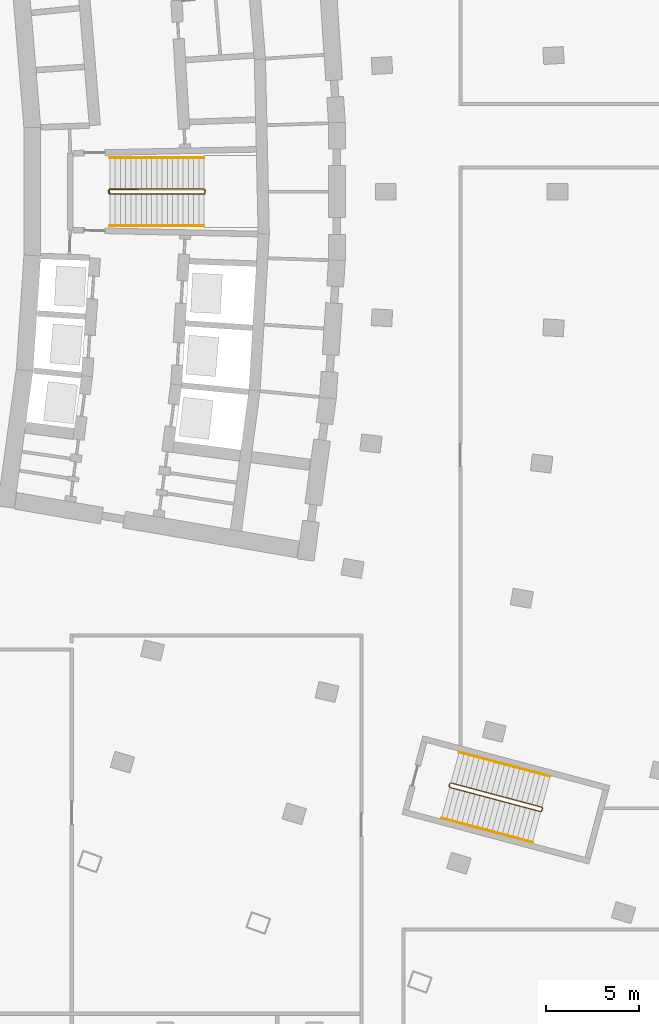
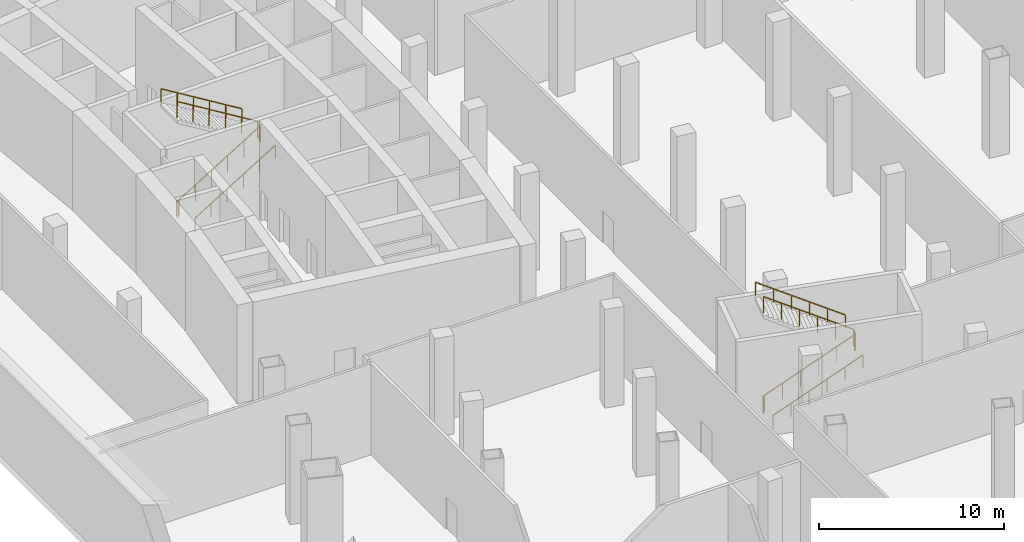
# One storey, part 12 of 16: 6 railings.
"""IFC4 building model written with IfcOpenShell, lengths in metres."""

from ifc_helpers import new_model, si_unit, direction, frame, origin, origin_with_axes, origin_2d, place, context, subcontext, project, spatial, rectangle, extrude, material, type_object, element, save


model = new_model("IFC4")

# Units and contexts
model_context = context("Model", 3, precision=1e-05, world=origin(), true_north=direction((0.0, 1.0)))
body_context = subcontext(model_context, "Body", "Model", "MODEL_VIEW")
ifc_project = project(units=[si_unit("LENGTHUNIT", "METRE"), si_unit("AREAUNIT", "SQUARE_METRE"), si_unit("VOLUMEUNIT", "CUBIC_METRE"), si_unit("PLANEANGLEUNIT", "RADIAN"), si_unit("MASSUNIT", "GRAM", prefix="KILO")], contexts=[model_context])

# Site, building, storey
site_placement = place(None, origin())
site = spatial("IfcSite", under=ifc_project, at=site_placement, CompositionType="ELEMENT")
building_placement = place(site_placement, origin())
building = spatial("IfcBuilding", under=site, at=building_placement, Name="Alderwake Tower", CompositionType="ELEMENT")
storey_placement = place(building_placement, frame((0.0, 0.0, -6.5)))
storey = spatial("IfcBuildingStorey", under=building, at=storey_placement, Name="B1", CompositionType="ELEMENT", Elevation=-6.5)

# Railings
ifc_material_1 = material(Name="Stainless steel guard", Category="steel")
railing_type_1 = type_object("IfcRailingType", Name="Stair guard 1100", PredefinedType="GUARDRAIL", material=ifc_material_1)
railing_1_placement = place(storey_placement, frame((20.989990234375, 60.925048828125, 0.0)))
element("IfcRailing", 1, at=railing_1_placement, inside=storey, type_object=railing_type_1, Name="B1 ST-B stair guard 1", PredefinedType="GUARDRAIL", context=body_context, shape_type="SweptSolid", body=[
    extrude(rectangle(XDim=0.048095703125, YDim=0.048095703125, at=origin_2d()), frame((0.0, 0.0, 1.076171875), z_axis=(0.0, 1.0, 0.0), x_axis=(-1.0, 0.0, 0.0)), (0.0, 0.0, 1.0), 0.14990234375),
    extrude(rectangle(XDim=0.048095703125, YDim=0.048095703125, at=origin_2d()), frame((0.0, 0.14990234375, 1.076171875), z_axis=(0.18681291358, -0.746340371814, 0.638809036192), x_axis=(0.970072785993, 0.242814311512, 0.0)), (0.0, 0.0, 1.0), 0.267822265625),
    extrude(rectangle(XDim=0.048095703125, YDim=0.048095703125, at=origin_2d()), frame((0.050048828125, -0.050048828125, 1.2470703125), z_axis=(0.853369698388, 0.0, 0.521306203564), x_axis=(0.0, 1.0, 0.0)), (0.0, 0.0, 1.0), 5.906005859375),
    extrude(rectangle(XDim=0.048095703125, YDim=0.048095703125, at=origin_2d()), frame((5.090087890625, -0.050048828125, 4.326171875), z_axis=(0.705375805398, 0.708833529934, 0.0), x_axis=(-0.708833529934, 0.705375805398, 0.0)), (0.0, 0.0, 1.0), 0.070556640625),
    extrude(rectangle(XDim=0.048095703125, YDim=0.048095703125, at=origin_2d()), frame((5.139892578125, 0.0, 4.326171875), z_axis=(0.0, 1.0, 0.0), x_axis=(-1.0, 0.0, 0.0)), (0.0, 0.0, 1.0), 0.14990234375),
    extrude(rectangle(XDim=0.048095703125, YDim=0.048095703125, at=origin_2d()), frame((5.139892578125, 0.14990234375, 4.326171875), z_axis=(-0.269017408341, 0.270336121127, 0.924417662977), x_axis=(-0.708833529934, -0.705375805398, 0.0)), (0.0, 0.0, 1.0), 0.18505859375),
    extrude(rectangle(XDim=0.048095703125, YDim=0.048095703125, at=origin_2d()), frame((5.090087890625, 0.199951171875, 4.4970703125), z_axis=(-0.853369698388, 0.0, 0.521306203564), x_axis=(0.0, -1.0, 0.0)), (0.0, 0.0, 1.0), 5.906005859375),
    extrude(rectangle(XDim=0.0419921875, YDim=0.0419921875, at=origin_2d()), frame((0.0, 0.0, 0.0), z_axis=(0.0, 0.0, 1.0), x_axis=(0.0, 1.0, 0.0)), (0.0, 0.0, 1.0), 1.052001953125),
    extrude(rectangle(XDim=0.0419921875, YDim=0.0419921875, at=origin_2d()), frame((0.0, 0.14990234375, 0.0), z_axis=(0.0, 0.0, 1.0), x_axis=(0.242814311512, -0.970072785993, 0.0)), (0.0, 0.0, 1.0), 1.052001953125),
    extrude(rectangle(XDim=0.0419921875, YDim=0.0419921875, at=origin_2d()), frame((0.050048828125, -0.050048828125, 0.171142578125), z_axis=(0.0, 0.0, 1.0), x_axis=(1.0, 0.0, 0.0)), (0.0, 0.0, 1.0), 1.052001953125),
    extrude(rectangle(XDim=0.0419921875, YDim=0.0419921875, at=origin_2d()), frame((1.05810546875, -0.050048828125, 0.786865234375), z_axis=(0.0, 0.0, 1.0), x_axis=(1.0, 0.0, 0.0)), (0.0, 0.0, 1.0), 1.052001953125),
    extrude(rectangle(XDim=0.0419921875, YDim=0.0419921875, at=origin_2d()), frame((2.066162109375, -0.050048828125, 1.402587890625), z_axis=(0.0, 0.0, 1.0), x_axis=(1.0, 0.0, 0.0)), (0.0, 0.0, 1.0), 1.052001953125),
    extrude(rectangle(XDim=0.0419921875, YDim=0.0419921875, at=origin_2d()), frame((3.073974609375, -0.050048828125, 2.0185546875), z_axis=(0.0, 0.0, 1.0), x_axis=(1.0, 0.0, 0.0)), (0.0, 0.0, 1.0), 1.052001953125),
    extrude(rectangle(XDim=0.0419921875, YDim=0.0419921875, at=origin_2d()), frame((4.08203125, -0.050048828125, 2.63427734375), z_axis=(0.0, 0.0, 1.0), x_axis=(1.0, 0.0, 0.0)), (0.0, 0.0, 1.0), 1.052001953125),
    extrude(rectangle(XDim=0.0419921875, YDim=0.0419921875, at=origin_2d()), frame((5.090087890625, -0.050048828125, 3.25), z_axis=(0.0, 0.0, 1.0), x_axis=(0.705375805398, 0.708833529934, 0.0)), (0.0, 0.0, 1.0), 1.052001953125),
    extrude(rectangle(XDim=0.0419921875, YDim=0.0419921875, at=origin_2d()), frame((5.139892578125, 0.0, 3.25), z_axis=(0.0, 0.0, 1.0), x_axis=(0.0, 1.0, 0.0)), (0.0, 0.0, 1.0), 1.052001953125),
    extrude(rectangle(XDim=0.0419921875, YDim=0.0419921875, at=origin_2d()), frame((5.139892578125, 0.14990234375, 3.25), z_axis=(0.0, 0.0, 1.0), x_axis=(-0.705375805398, 0.708833529934, 0.0)), (0.0, 0.0, 1.0), 1.052001953125),
    extrude(rectangle(XDim=0.0419921875, YDim=0.0419921875, at=origin_2d()), frame((5.090087890625, 0.199951171875, 3.421142578125), z_axis=(0.0, 0.0, 1.0), x_axis=(-1.0, 0.0, 0.0)), (0.0, 0.0, 1.0), 1.052001953125),
    extrude(rectangle(XDim=0.0419921875, YDim=0.0419921875, at=origin_2d()), frame((4.08203125, 0.199951171875, 4.036865234375), z_axis=(0.0, 0.0, 1.0), x_axis=(-1.0, 0.0, 0.0)), (0.0, 0.0, 1.0), 1.052001953125),
    extrude(rectangle(XDim=0.0419921875, YDim=0.0419921875, at=origin_2d()), frame((3.073974609375, 0.199951171875, 4.652587890625), z_axis=(0.0, 0.0, 1.0), x_axis=(-1.0, 0.0, 0.0)), (0.0, 0.0, 1.0), 1.052001953125),
    extrude(rectangle(XDim=0.0419921875, YDim=0.0419921875, at=origin_2d()), frame((2.066162109375, 0.199951171875, 5.2685546875), z_axis=(0.0, 0.0, 1.0), x_axis=(-1.0, 0.0, 0.0)), (0.0, 0.0, 1.0), 1.052001953125),
    extrude(rectangle(XDim=0.0419921875, YDim=0.0419921875, at=origin_2d()), frame((1.05810546875, 0.199951171875, 5.88427734375), z_axis=(0.0, 0.0, 1.0), x_axis=(-1.0, 0.0, 0.0)), (0.0, 0.0, 1.0), 1.052001953125),
    extrude(rectangle(XDim=0.0419921875, YDim=0.0419921875, at=origin_2d()), frame((0.050048828125, 0.199951171875, 6.5), z_axis=(0.0, 0.0, 1.0), x_axis=(-1.0, 0.0, 0.0)), (0.0, 0.0, 1.0), 1.052001953125),
])
railing_2_placement = place(storey_placement, frame((39.1943359375, 29.17431640625, 0.0)))
element("IfcRailing", 2, at=railing_2_placement, inside=storey, type_object=railing_type_1, Name="B1 ST-C stair guard 1", PredefinedType="GUARDRAIL", context=body_context, shape_type="SweptSolid", body=[
    extrude(rectangle(XDim=0.048095703125, YDim=0.048095703125, at=origin_2d()), frame((0.0, 0.0, 1.076171875), z_axis=(0.257459803502, 0.966289009345, 0.0), x_axis=(-0.966289009345, 0.257459803502, 0.0)), (0.0, 0.0, 1.0), 0.14990234375),
    extrude(rectangle(XDim=0.048095703125, YDim=0.048095703125, at=origin_2d()), frame((0.03857421875, 0.144775390625, 1.076171875), z_axis=(-0.011848055036, -0.76921218846, 0.63888358307), x_axis=(0.999881397308, -0.015401016783, 0.0)), (0.0, 0.0, 1.0), 0.267822265625),
    extrude(rectangle(XDim=0.048095703125, YDim=0.048095703125, at=origin_2d()), frame((0.035400390625, -0.061279296875, 1.2470703125), z_axis=(0.82462903563, -0.219622741306, 0.521299151252), x_axis=(0.257358133295, 0.966316092812, 0.0)), (0.0, 0.0, 1.0), 5.906005859375),
    extrude(rectangle(XDim=0.048095703125, YDim=0.048095703125, at=origin_2d()), frame((4.90576171875, -1.3583984375, 4.326171875), z_axis=(0.865031189262, 0.501718089772, 0.0), x_axis=(-0.501718089772, 0.865031189262, 0.0)), (0.0, 0.0, 1.0), 0.070556640625),
    extrude(rectangle(XDim=0.048095703125, YDim=0.048095703125, at=origin_2d()), frame((4.966796875, -1.322998046875, 4.326171875), z_axis=(0.257055032184, 0.966396766566, 0.0), x_axis=(-0.966396766566, 0.257055032184, 0.0)), (0.0, 0.0, 1.0), 0.150146484375),
    extrude(rectangle(XDim=0.048095703125, YDim=0.048095703125, at=origin_2d()), frame((5.00537109375, -1.177978515625, 4.326171875), z_axis=(-0.191232643086, 0.329711453596, 0.924510915883), x_axis=(-0.865031189262, -0.501718089772, 0.0)), (0.0, 0.0, 1.0), 0.18505859375),
    extrude(rectangle(XDim=0.048095703125, YDim=0.048095703125, at=origin_2d()), frame((4.969970703125, -1.116943359375, 4.4970703125), z_axis=(-0.824608320298, 0.219669571589, 0.521312188053), x_axis=(-0.257415412185, -0.966300835956, 0.0)), (0.0, 0.0, 1.0), 5.906005859375),
    extrude(rectangle(XDim=0.0419921875, YDim=0.0419921875, at=origin_2d()), frame((0.0, 0.0, 0.0), z_axis=(0.0, 0.0, 1.0), x_axis=(0.257459803502, 0.966289009345, 0.0)), (0.0, 0.0, 1.0), 1.052001953125),
    extrude(rectangle(XDim=0.0419921875, YDim=0.0419921875, at=origin_2d()), frame((0.03857421875, 0.144775390625, 0.0), z_axis=(0.0, 0.0, 1.0), x_axis=(-0.015401016783, -0.999881397308, 0.0)), (0.0, 0.0, 1.0), 1.052001953125),
    extrude(rectangle(XDim=0.0419921875, YDim=0.0419921875, at=origin_2d()), frame((0.035400390625, -0.061279296875, 0.171142578125), z_axis=(0.0, 0.0, 1.0), x_axis=(0.966316092812, -0.257358133295, 0.0)), (0.0, 0.0, 1.0), 1.052001953125),
    extrude(rectangle(XDim=0.0419921875, YDim=0.0419921875, at=origin_2d()), frame((1.009521484375, -0.32080078125, 0.786865234375), z_axis=(0.0, 0.0, 1.0), x_axis=(0.966316092812, -0.257358133295, 0.0)), (0.0, 0.0, 1.0), 1.052001953125),
    extrude(rectangle(XDim=0.0419921875, YDim=0.0419921875, at=origin_2d()), frame((1.983642578125, -0.580078125, 1.402587890625), z_axis=(0.0, 0.0, 1.0), x_axis=(0.966316092812, -0.257358133295, 0.0)), (0.0, 0.0, 1.0), 1.052001953125),
    extrude(rectangle(XDim=0.0419921875, YDim=0.0419921875, at=origin_2d()), frame((2.95751953125, -0.839599609375, 2.0185546875), z_axis=(0.0, 0.0, 1.0), x_axis=(0.966316092812, -0.257358133295, 0.0)), (0.0, 0.0, 1.0), 1.052001953125),
    extrude(rectangle(XDim=0.0419921875, YDim=0.0419921875, at=origin_2d()), frame((3.931640625, -1.098876953125, 2.63427734375), z_axis=(0.0, 0.0, 1.0), x_axis=(0.966316092812, -0.257358133295, 0.0)), (0.0, 0.0, 1.0), 1.052001953125),
    extrude(rectangle(XDim=0.0419921875, YDim=0.0419921875, at=origin_2d()), frame((4.90576171875, -1.3583984375, 3.25), z_axis=(0.0, 0.0, 1.0), x_axis=(0.865031189262, 0.501718089772, 0.0)), (0.0, 0.0, 1.0), 1.052001953125),
    extrude(rectangle(XDim=0.0419921875, YDim=0.0419921875, at=origin_2d()), frame((4.966796875, -1.322998046875, 3.25), z_axis=(0.0, 0.0, 1.0), x_axis=(0.257055032184, 0.966396766566, 0.0)), (0.0, 0.0, 1.0), 1.052001953125),
    extrude(rectangle(XDim=0.0419921875, YDim=0.0419921875, at=origin_2d()), frame((5.00537109375, -1.177978515625, 3.25), z_axis=(0.0, 0.0, 1.0), x_axis=(-0.501718089772, 0.865031189262, 0.0)), (0.0, 0.0, 1.0), 1.052001953125),
    extrude(rectangle(XDim=0.0419921875, YDim=0.0419921875, at=origin_2d()), frame((4.969970703125, -1.116943359375, 3.421142578125), z_axis=(0.0, 0.0, 1.0), x_axis=(-0.966300835956, 0.257415412185, 0.0)), (0.0, 0.0, 1.0), 1.052001953125),
    extrude(rectangle(XDim=0.0419921875, YDim=0.0419921875, at=origin_2d()), frame((3.995849609375, -0.857421875, 4.036865234375), z_axis=(0.0, 0.0, 1.0), x_axis=(-0.966300835956, 0.257415412185, 0.0)), (0.0, 0.0, 1.0), 1.052001953125),
    extrude(rectangle(XDim=0.0419921875, YDim=0.0419921875, at=origin_2d()), frame((3.02197265625, -0.597900390625, 4.652587890625), z_axis=(0.0, 0.0, 1.0), x_axis=(-0.966300835956, 0.257415412185, 0.0)), (0.0, 0.0, 1.0), 1.052001953125),
    extrude(rectangle(XDim=0.0419921875, YDim=0.0419921875, at=origin_2d()), frame((2.0478515625, -0.338623046875, 5.2685546875), z_axis=(0.0, 0.0, 1.0), x_axis=(-0.966300835956, 0.257415412185, 0.0)), (0.0, 0.0, 1.0), 1.052001953125),
    extrude(rectangle(XDim=0.0419921875, YDim=0.0419921875, at=origin_2d()), frame((1.073974609375, -0.0791015625, 5.88427734375), z_axis=(0.0, 0.0, 1.0), x_axis=(-0.966300835956, 0.257415412185, 0.0)), (0.0, 0.0, 1.0), 1.052001953125),
    extrude(rectangle(XDim=0.0419921875, YDim=0.0419921875, at=origin_2d()), frame((0.099853515625, 0.180419921875, 6.5), z_axis=(0.0, 0.0, 1.0), x_axis=(-0.966300835956, 0.257415412185, 0.0)), (0.0, 0.0, 1.0), 1.052001953125),
])
ifc_material_2 = material(Name="Stainless steel handrail", Category="steel")
railing_type_2 = type_object("IfcRailingType", Name="Stair handrail 900", PredefinedType="HANDRAIL", material=ifc_material_2)
railing_3_placement = place(storey_placement, frame((21.0400390625, 59.175048828125, 0.171142578125)))
element("IfcRailing", 3, at=railing_3_placement, inside=storey, type_object=railing_type_2, Name="B1 ST-B stair handrail 1", PredefinedType="HANDRAIL", context=body_context, shape_type="SweptSolid", body=[
    extrude(rectangle(XDim=0.048095703125, YDim=0.048095703125, at=origin_2d()), frame((0.0, 0.0, 0.8759765625), z_axis=(0.853369698388, 0.0, 0.521306203564), x_axis=(0.0, 1.0, 0.0)), (0.0, 0.0, 1.0), 5.906005859375),
    extrude(rectangle(XDim=0.0419921875, YDim=0.0419921875, at=origin_2d()), origin_with_axes(), (0.0, 0.0, 1.0), 0.851806640625),
    extrude(rectangle(XDim=0.0419921875, YDim=0.0419921875, at=origin_2d()), frame((1.008056640625, 0.0, 0.61572265625), z_axis=(0.0, 0.0, 1.0), x_axis=(1.0, 0.0, 0.0)), (0.0, 0.0, 1.0), 0.851806640625),
    extrude(rectangle(XDim=0.0419921875, YDim=0.0419921875, at=origin_2d()), frame((2.01611328125, 0.0, 1.2314453125), z_axis=(0.0, 0.0, 1.0), x_axis=(1.0, 0.0, 0.0)), (0.0, 0.0, 1.0), 0.851806640625),
    extrude(rectangle(XDim=0.0419921875, YDim=0.0419921875, at=origin_2d()), frame((3.02392578125, 0.0, 1.847412109375), z_axis=(0.0, 0.0, 1.0), x_axis=(1.0, 0.0, 0.0)), (0.0, 0.0, 1.0), 0.851806640625),
    extrude(rectangle(XDim=0.0419921875, YDim=0.0419921875, at=origin_2d()), frame((4.031982421875, 0.0, 2.463134765625), z_axis=(0.0, 0.0, 1.0), x_axis=(1.0, 0.0, 0.0)), (0.0, 0.0, 1.0), 0.851806640625),
    extrude(rectangle(XDim=0.0419921875, YDim=0.0419921875, at=origin_2d()), frame((5.0400390625, 0.0, 3.078857421875), z_axis=(0.0, 0.0, 1.0), x_axis=(1.0, 0.0, 0.0)), (0.0, 0.0, 1.0), 0.851806640625),
])
railing_4_placement = place(storey_placement, frame((26.080078125, 62.824951171875, 3.421142578125)))
element("IfcRailing", 4, at=railing_4_placement, inside=storey, type_object=railing_type_2, Name="B1 ST-B stair handrail 2", PredefinedType="HANDRAIL", context=body_context, shape_type="SweptSolid", body=[
    extrude(rectangle(XDim=0.048095703125, YDim=0.048095703125, at=origin_2d()), frame((0.0, 0.0, 0.8759765625), z_axis=(-0.853369698388, 0.0, 0.521306203564), x_axis=(0.0, -1.0, 0.0)), (0.0, 0.0, 1.0), 5.906005859375),
    extrude(rectangle(XDim=0.0419921875, YDim=0.0419921875, at=origin_2d()), frame((0.0, 0.0, 0.0), z_axis=(0.0, 0.0, 1.0), x_axis=(-1.0, 0.0, 0.0)), (0.0, 0.0, 1.0), 0.851806640625),
    extrude(rectangle(XDim=0.0419921875, YDim=0.0419921875, at=origin_2d()), frame((-1.008056640625, 0.0, 0.61572265625), z_axis=(0.0, 0.0, 1.0), x_axis=(-1.0, 0.0, 0.0)), (0.0, 0.0, 1.0), 0.851806640625),
    extrude(rectangle(XDim=0.0419921875, YDim=0.0419921875, at=origin_2d()), frame((-2.01611328125, 0.0, 1.2314453125), z_axis=(0.0, 0.0, 1.0), x_axis=(-1.0, 0.0, 0.0)), (0.0, 0.0, 1.0), 0.851806640625),
    extrude(rectangle(XDim=0.0419921875, YDim=0.0419921875, at=origin_2d()), frame((-3.02392578125, 0.0, 1.847412109375), z_axis=(0.0, 0.0, 1.0), x_axis=(-1.0, 0.0, 0.0)), (0.0, 0.0, 1.0), 0.851806640625),
    extrude(rectangle(XDim=0.0419921875, YDim=0.0419921875, at=origin_2d()), frame((-4.031982421875, 0.0, 2.463134765625), z_axis=(0.0, 0.0, 1.0), x_axis=(-1.0, 0.0, 0.0)), (0.0, 0.0, 1.0), 0.851806640625),
    extrude(rectangle(XDim=0.0419921875, YDim=0.0419921875, at=origin_2d()), frame((-5.0400390625, 0.0, 3.078857421875), z_axis=(0.0, 0.0, 1.0), x_axis=(-1.0, 0.0, 0.0)), (0.0, 0.0, 1.0), 0.851806640625),
])
railing_5_placement = place(storey_placement, frame((38.792236328125, 27.47021484375, 0.171142578125)))
element("IfcRailing", 5, at=railing_5_placement, inside=storey, type_object=railing_type_2, Name="B1 ST-C stair handrail 1", PredefinedType="HANDRAIL", context=body_context, shape_type="SweptSolid", body=[
    extrude(rectangle(XDim=0.048095703125, YDim=0.048095703125, at=origin_2d()), frame((0.0, 0.0, 0.8759765625), z_axis=(0.824615807698, -0.219630227908, 0.52131692154), x_axis=(0.257370180181, 0.966312884294, 0.0)), (0.0, 0.0, 1.0), 5.906005859375),
    extrude(rectangle(XDim=0.0419921875, YDim=0.0419921875, at=origin_2d()), frame((0.0, 0.0, 0.0), z_axis=(0.0, 0.0, 1.0), x_axis=(0.966312884294, -0.257370180181, 0.0)), (0.0, 0.0, 1.0), 0.851806640625),
    extrude(rectangle(XDim=0.0419921875, YDim=0.0419921875, at=origin_2d()), frame((0.97412109375, -0.259521484375, 0.61572265625), z_axis=(0.0, 0.0, 1.0), x_axis=(0.966312884294, -0.257370180181, 0.0)), (0.0, 0.0, 1.0), 0.851806640625),
    extrude(rectangle(XDim=0.0419921875, YDim=0.0419921875, at=origin_2d()), frame((1.947998046875, -0.518798828125, 1.2314453125), z_axis=(0.0, 0.0, 1.0), x_axis=(0.966312884294, -0.257370180181, 0.0)), (0.0, 0.0, 1.0), 0.851806640625),
    extrude(rectangle(XDim=0.0419921875, YDim=0.0419921875, at=origin_2d()), frame((2.922119140625, -0.7783203125, 1.847412109375), z_axis=(0.0, 0.0, 1.0), x_axis=(0.966312884294, -0.257370180181, 0.0)), (0.0, 0.0, 1.0), 0.851806640625),
    extrude(rectangle(XDim=0.0419921875, YDim=0.0419921875, at=origin_2d()), frame((3.89599609375, -1.03759765625, 2.463134765625), z_axis=(0.0, 0.0, 1.0), x_axis=(0.966312884294, -0.257370180181, 0.0)), (0.0, 0.0, 1.0), 0.851806640625),
    extrude(rectangle(XDim=0.0419921875, YDim=0.0419921875, at=origin_2d()), frame((4.8701171875, -1.297119140625, 3.078857421875), z_axis=(0.0, 0.0, 1.0), x_axis=(0.966312884294, -0.257370180181, 0.0)), (0.0, 0.0, 1.0), 0.851806640625),
])
railing_6_placement = place(storey_placement, frame((44.601806640625, 29.7001953125, 3.421142578125)))
element("IfcRailing", 6, at=railing_6_placement, inside=storey, type_object=railing_type_2, Name="B1 ST-C stair handrail 2", PredefinedType="HANDRAIL", context=body_context, shape_type="SweptSolid", body=[
    extrude(rectangle(XDim=0.048095703125, YDim=0.048095703125, at=origin_2d()), frame((0.0, 0.0, 0.8759765625), z_axis=(-0.824615807698, 0.219630227908, 0.52131692154), x_axis=(-0.257370180181, -0.966312884294, 0.0)), (0.0, 0.0, 1.0), 5.906005859375),
    extrude(rectangle(XDim=0.0419921875, YDim=0.0419921875, at=origin_2d()), frame((0.0, 0.0, 0.0), z_axis=(0.0, 0.0, 1.0), x_axis=(-0.966312884294, 0.257370180181, 0.0)), (0.0, 0.0, 1.0), 0.851806640625),
    extrude(rectangle(XDim=0.0419921875, YDim=0.0419921875, at=origin_2d()), frame((-0.97412109375, 0.259521484375, 0.61572265625), z_axis=(0.0, 0.0, 1.0), x_axis=(-0.966312884294, 0.257370180181, 0.0)), (0.0, 0.0, 1.0), 0.851806640625),
    extrude(rectangle(XDim=0.0419921875, YDim=0.0419921875, at=origin_2d()), frame((-1.947998046875, 0.518798828125, 1.2314453125), z_axis=(0.0, 0.0, 1.0), x_axis=(-0.966312884294, 0.257370180181, 0.0)), (0.0, 0.0, 1.0), 0.851806640625),
    extrude(rectangle(XDim=0.0419921875, YDim=0.0419921875, at=origin_2d()), frame((-2.922119140625, 0.7783203125, 1.847412109375), z_axis=(0.0, 0.0, 1.0), x_axis=(-0.966312884294, 0.257370180181, 0.0)), (0.0, 0.0, 1.0), 0.851806640625),
    extrude(rectangle(XDim=0.0419921875, YDim=0.0419921875, at=origin_2d()), frame((-3.89599609375, 1.03759765625, 2.463134765625), z_axis=(0.0, 0.0, 1.0), x_axis=(-0.966312884294, 0.257370180181, 0.0)), (0.0, 0.0, 1.0), 0.851806640625),
    extrude(rectangle(XDim=0.0419921875, YDim=0.0419921875, at=origin_2d()), frame((-4.8701171875, 1.297119140625, 3.078857421875), z_axis=(0.0, 0.0, 1.0), x_axis=(-0.966312884294, 0.257370180181, 0.0)), (0.0, 0.0, 1.0), 0.851806640625),
])

save(model, "model.ifc")
